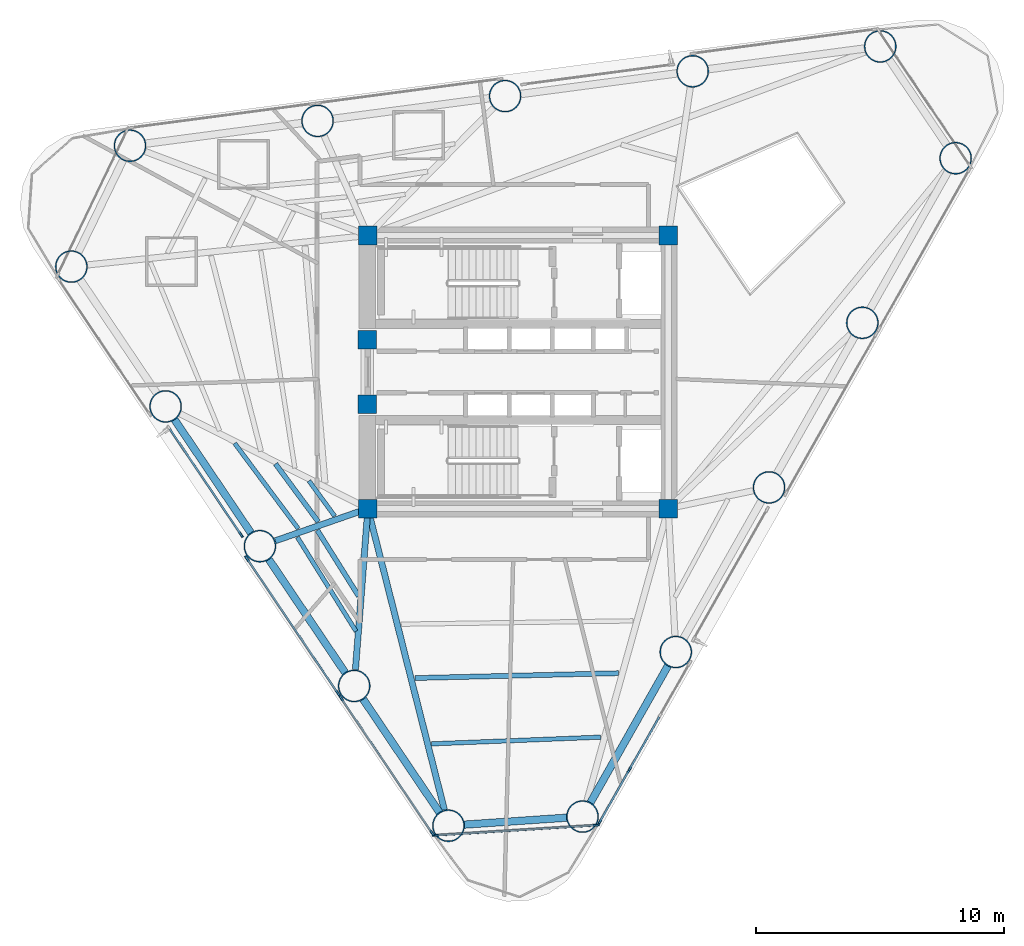
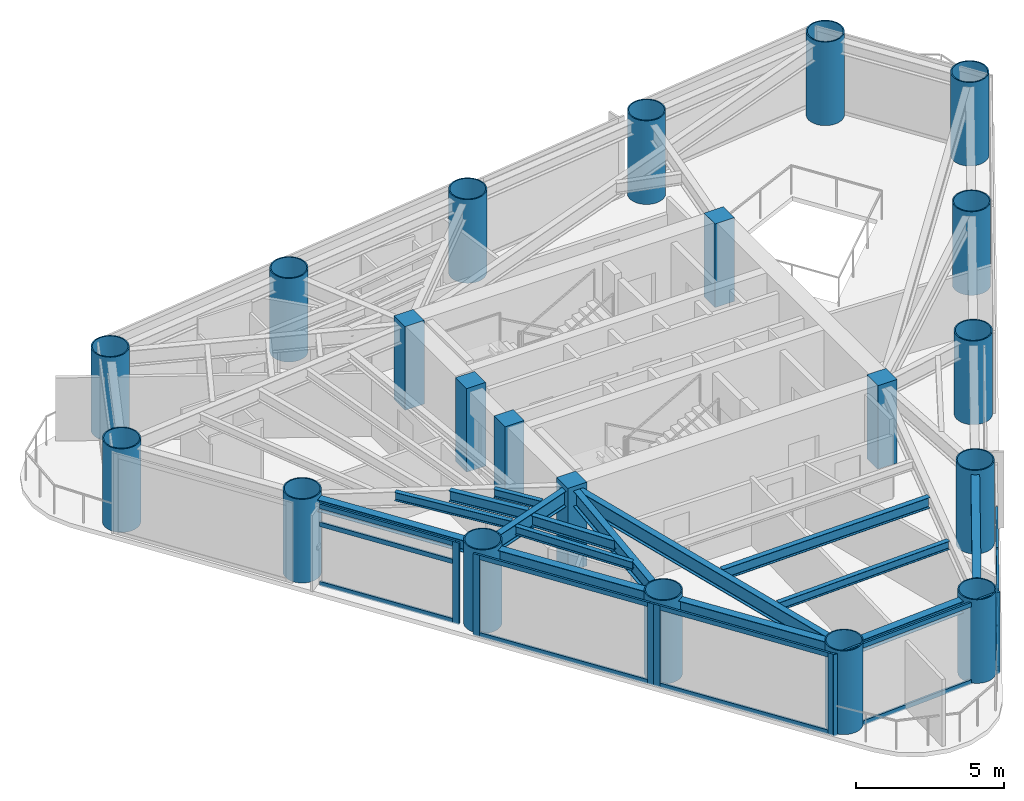
# One storey, part 1 of 9: 24 members, 21 columns, 15 beams, 5 elements without a shape of their own.
"""IFC4 building model written with IfcOpenShell, lengths in metres."""

from ifc_helpers import new_model, si_unit, direction, frame, origin, origin_2d, place, context, subcontext, project, spatial, rectangle, hollow_circle, i_section, extrude, source, transform, mapped, material, layer, layer_set, material_profile, profile_set, type_object, element, aggregate, save


model = new_model("IFC4")

# Units and contexts
model_context = context("Model", 3, precision=1e-05, world=origin(), true_north=direction((0.0, 1.0)))
body_context = subcontext(model_context, "Body", "Model", "MODEL_VIEW")
ifc_project = project(units=[si_unit("LENGTHUNIT", "METRE"), si_unit("AREAUNIT", "SQUARE_METRE"), si_unit("VOLUMEUNIT", "CUBIC_METRE"), si_unit("PLANEANGLEUNIT", "RADIAN"), si_unit("MASSUNIT", "GRAM", prefix="KILO")], contexts=[model_context])

# Site, building, storey
site_placement = place(None, origin())
site = spatial("IfcSite", under=ifc_project, at=site_placement, CompositionType="ELEMENT")
building_placement = place(site_placement, origin())
building = spatial("IfcBuilding", under=site, at=building_placement, Name="Yunling Apex Tower", CompositionType="ELEMENT")
storey_placement = place(building_placement, frame((0.0, 0.0, 176.0)))
storey = spatial("IfcBuildingStorey", under=building, at=storey_placement, Name="L43", CompositionType="ELEMENT", Elevation=176.0)

# Columns
ifc_material_1 = material(Name="Concrete C50", Category="concrete")
ifc_material_profile_1 = material_profile(ifc_material_1, rectangle(XDim=0.75, YDim=0.75, at=origin_2d()))
ifc_profile_set_1 = profile_set([ifc_material_profile_1], Name="Concrete C50")
column_type_1 = type_object("IfcColumnType", Name="PC-SRC-4", PredefinedType="COLUMN", material=ifc_profile_set_1)
shared_shape_1 = source(origin(), body_context, "Body", "SweptSolid", [
    extrude(rectangle(XDim=0.75, YDim=0.75, at=origin_2d()), origin(), (0.0, 0.0, 1.0), 3.449951171875),
])
for number, where, z_axis, x_axis, name in (
    (1, (-6.050048828125, -5.5, 0.0), (0.0, 0.0, 1.0), (1.0, 0.0, 0.0), "L43 Core Spine Column CC-SW"),
    (2, (6.050048828125, -5.5, 0.0), (0.0, 0.0, 1.0), (1.0, 0.0, 0.0), "L43 Core Spine Column CC-SE"),
    (3, (6.050048828125, 5.5, 0.0), (0.0, 0.0, 1.0), (1.0, 0.0, 0.0), "L43 Core Spine Column CC-NE"),
    (4, (-6.050048828125, 5.5, 0.0), (0.0, 0.0, 1.0), (1.0, 0.0, 0.0), "L43 Core Spine Column CC-NW"),
    (5, (-6.074951171875, -1.300048828125, 0.0), (0.0, 0.0, 1.0), (1.0, 0.0, 0.0), "L43 Core West Portal Jamb Column S"),
    (6, (-6.074951171875, 1.300048828125, 0.0), (0.0, 0.0, 1.0), (1.0, 0.0, 0.0), "L43 Core West Portal Jamb Column N"),
):
    element("IfcColumn", number, at=place(storey_placement, frame(where, z_axis=z_axis, x_axis=x_axis)), inside=storey, type_object=column_type_1, Name=name, PredefinedType="COLUMN", context=body_context, shape_type="MappedRepresentation", body=[
        mapped(shared_shape_1, transform((0.0, 0.0, 0.0), scale=1.0)),
    ])
ifc_material_2 = material(Name="Steel Q390GJC", Category="steel")
ifc_material_profile_2 = material_profile(ifc_material_2, hollow_circle(Radius=0.64990234375, WallThickness=0.044921875, at=origin_2d()))
ifc_profile_set_2 = profile_set([ifc_material_profile_2], Name="Steel Q390GJC")
column_type_2 = type_object("IfcColumnType", Name="MC-CFST-3", PredefinedType="COLUMN", material=ifc_profile_set_2)
shared_shape_2 = source(origin(), body_context, "Body", "SweptSolid", [
    extrude(hollow_circle(Radius=0.64990234375, WallThickness=0.044921875, at=origin_2d()), origin(), (0.0, 0.0, 1.0), 3.449951171875),
])
for number, where, z_axis, x_axis, name in (
    (7, (2.5947265625, -17.907958984375, 0.0), (0.0, 0.0, 1.0), (1.0, 0.0, 0.0), "L43 Perimeter CFST Mega-Column P01"),
    (8, (6.351806640625, -11.27783203125, 0.0), (0.0, 0.0, 1.0), (1.0, 0.0, 0.0), "L43 Perimeter CFST Mega-Column P02"),
    (9, (10.109130859375, -4.64794921875, 0.0), (0.0, 0.0, 1.0), (1.0, 0.0, 0.0), "L43 Perimeter CFST Mega-Column P03"),
    (10, (13.8662109375, 1.982177734375, 0.0), (0.0, 0.0, 1.0), (1.0, 0.0, 0.0), "L43 Perimeter CFST Mega-Column P04"),
    (11, (17.62353515625, 8.612060546875, 0.0), (0.0, 0.0, 1.0), (1.0, 0.0, 0.0), "L43 Perimeter CFST Mega-Column P05"),
    (12, (14.5869140625, 13.114013671875, 0.0), (0.0, 0.0, 1.0), (1.0, 0.0, 0.0), "L43 Perimeter CFST Mega-Column P06"),
    (13, (7.0322265625, 12.114013671875, 0.0), (0.0, 0.0, 1.0), (1.0, 0.0, 0.0), "L43 Perimeter CFST Mega-Column P07"),
    (14, (-0.5224609375, 11.114013671875, 0.0), (0.0, 0.0, 1.0), (1.0, 0.0, 0.0), "L43 Perimeter CFST Mega-Column P08"),
    (15, (-8.0771484375, 10.1142578125, 0.0), (0.0, 0.0, 1.0), (1.0, 0.0, 0.0), "L43 Perimeter CFST Mega-Column P09"),
    (16, (-15.6318359375, 9.1142578125, 0.0), (0.0, 0.0, 1.0), (1.0, 0.0, 0.0), "L43 Perimeter CFST Mega-Column P10"),
    (17, (-17.9951171875, 4.2451171875, 0.0), (0.0, 0.0, 1.0), (1.0, 0.0, 0.0), "L43 Perimeter CFST Mega-Column P11"),
    (18, (-14.197509765625, -1.384765625, 0.0), (0.0, 0.0, 1.0), (1.0, 0.0, 0.0), "L43 Perimeter CFST Mega-Column P12"),
    (19, (-10.39990234375, -7.014892578125, 0.0), (0.0, 0.0, 1.0), (1.0, 0.0, 0.0), "L43 Perimeter CFST Mega-Column P13"),
    (20, (-6.6025390625, -12.64501953125, 0.0), (0.0, 0.0, 1.0), (1.0, 0.0, 0.0), "L43 Perimeter CFST Mega-Column P14"),
    (21, (-2.804931640625, -18.27490234375, 0.0), (0.0, 0.0, 1.0), (1.0, 0.0, 0.0), "L43 Perimeter CFST Mega-Column P15"),
):
    element("IfcColumn", number, at=place(storey_placement, frame(where, z_axis=z_axis, x_axis=x_axis)), inside=storey, type_object=column_type_2, Name=name, PredefinedType="COLUMN", context=body_context, shape_type="MappedRepresentation", body=[
        mapped(shared_shape_2, transform((0.0, 0.0, 0.0), scale=1.0)),
    ])

# Beams
ifc_material_3 = material(Name="Steel Q355B", Category="steel")
ifc_material_profile_3 = material_profile(ifc_material_3, i_section(OverallWidth=0.300048828125, OverallDepth=0.489990234375, WebThickness=0.010986328125, FlangeThickness=0.01806640625, FilletRadius=0.02197265625, at=origin_2d()))
ifc_profile_set_3 = profile_set([ifc_material_profile_3], Name="Steel Q355B")
beam_type_1 = type_object("IfcBeamType", Name="BP-SPN-2", PredefinedType="SPANDREL", material=ifc_profile_set_3)
shared_shape_3 = source(origin(), body_context, "Body", "SweptSolid", [
    extrude(i_section(OverallWidth=0.300048828125, OverallDepth=0.489990234375, WebThickness=0.010986328125, FlangeThickness=0.01806640625, FilletRadius=0.02197265625, at=origin_2d()), origin(), (0.0, 0.0, 1.0), 6.332763671875),
])
beam_1_placement = place(storey_placement, frame((2.912109375, -17.34765625, 3.02490234375), z_axis=(0.493042725972, 0.870005097897, 0.0), x_axis=(-0.870005097897, 0.493042725972, 0.0)))
element("IfcBeam", 22, at=beam_1_placement, inside=storey, type_object=beam_type_1, Name="L43 Perimeter Spandrel Beam 1", PredefinedType="SPANDREL", context=body_context, shape_type="MappedRepresentation", body=[
    mapped(shared_shape_3, transform((0.0, 0.0, 0.0), scale=1.0)),
])
shared_shape_4 = source(origin(), body_context, "Body", "SweptSolid", [
    extrude(i_section(OverallWidth=0.300048828125, OverallDepth=0.489990234375, WebThickness=0.010986328125, FlangeThickness=0.01806640625, FilletRadius=0.02197265625, at=origin_2d()), origin(), (0.0, 0.0, 1.0), 5.5029296875),
])
beam_2_placement = place(storey_placement, frame((-10.039794921875, -7.548828125, 3.02490234375), z_axis=(0.559176417619, -0.829048692164, 0.0), x_axis=(0.829048692164, 0.559176417619, 0.0)))
element("IfcBeam", 23, at=beam_2_placement, inside=storey, type_object=beam_type_1, Name="L43 Perimeter Spandrel Beam 13", PredefinedType="SPANDREL", context=body_context, shape_type="MappedRepresentation", body=[
    mapped(shared_shape_4, transform((0.0, 0.0, 0.0), scale=1.0)),
])
shared_shape_5 = source(origin(), body_context, "Body", "SweptSolid", [
    extrude(i_section(OverallWidth=0.300048828125, OverallDepth=0.489990234375, WebThickness=0.010986328125, FlangeThickness=0.01806640625, FilletRadius=0.02197265625, at=origin_2d()), origin(), (0.0, 0.0, 1.0), 5.503173828125),
])
beam_3_placement = place(storey_placement, frame((-13.83740234375, -1.918701171875, 3.02490234375), z_axis=(0.55920690951, -0.82902812519, 0.0), x_axis=(0.82902812519, 0.55920690951, 0.0)))
element("IfcBeam", 24, at=beam_3_placement, inside=storey, type_object=beam_type_1, Name="L43 Perimeter Spandrel Beam 12", PredefinedType="SPANDREL", context=body_context, shape_type="MappedRepresentation", body=[
    mapped(shared_shape_5, transform((0.0, 0.0, 0.0), scale=1.0)),
])
shared_shape_6 = source(origin(), body_context, "Body", "SweptSolid", [
    extrude(i_section(OverallWidth=0.300048828125, OverallDepth=0.489990234375, WebThickness=0.010986328125, FlangeThickness=0.01806640625, FilletRadius=0.02197265625, at=origin_2d()), origin(), (0.0, 0.0, 1.0), 5.50341796875),
])
beam_4_placement = place(storey_placement, frame((-6.242431640625, -13.1787109375, 3.02490234375), z_axis=(0.55918634307, -0.829041997564, 0.0), x_axis=(0.829041997564, 0.55918634307, 0.0)))
element("IfcBeam", 25, at=beam_4_placement, inside=storey, type_object=beam_type_1, Name="L43 Perimeter Spandrel Beam 14", PredefinedType="SPANDREL", context=body_context, shape_type="MappedRepresentation", body=[
    mapped(shared_shape_6, transform((0.0, 0.0, 0.0), scale=1.0)),
])
shared_shape_7 = source(origin(), body_context, "Body", "SweptSolid", [
    extrude(i_section(OverallWidth=0.300048828125, OverallDepth=0.489990234375, WebThickness=0.010986328125, FlangeThickness=0.01806640625, FilletRadius=0.02197265625, at=origin_2d()), origin(), (0.0, 0.0, 1.0), 4.124267578125),
])
beam_5_placement = place(storey_placement, frame((-2.16259765625, -18.231201171875, 3.02490234375), z_axis=(0.997700280582, 0.067780160274, 0.0), x_axis=(-0.067780160274, 0.997700280582, 0.0)))
element("IfcBeam", 26, at=beam_5_placement, inside=storey, type_object=beam_type_1, Name="L43 Perimeter Spandrel Beam 15", PredefinedType="SPANDREL", context=body_context, shape_type="MappedRepresentation", body=[
    mapped(shared_shape_7, transform((0.0, 0.0, 0.0), scale=1.0)),
])
ifc_material_profile_4 = material_profile(ifc_material_3, i_section(OverallWidth=0.25, OverallDepth=0.64990234375, WebThickness=0.011962890625, FlangeThickness=0.02001953125, FilletRadius=0.02392578125, at=origin_2d()))
ifc_profile_set_4 = profile_set([ifc_material_profile_4], Name="Steel Q355B")
beam_type_2 = type_object("IfcBeamType", Name="BG-PRI-4", PredefinedType="USERDEFINED", material=ifc_profile_set_4)
shared_shape_8 = source(origin(), body_context, "Body", "SweptSolid", [
    extrude(i_section(OverallWidth=0.25, OverallDepth=0.64990234375, WebThickness=0.011962890625, FlangeThickness=0.02001953125, FilletRadius=0.02392578125, at=origin_2d()), origin(), (0.0, 0.0, 1.0), 3.8681640625),
])
beam_6_placement = place(storey_placement, frame((-9.778564453125, -6.798583984375, 2.945068359375), z_axis=(0.944369860351, 0.328885339991, 0.0), x_axis=(-0.328885339991, 0.944369860351, 0.0)))
element("IfcBeam", 27, at=beam_6_placement, inside=storey, type_object=beam_type_2, Name="L43 Radial Primary Girder R13", ObjectType="GIRDER", PredefinedType="USERDEFINED", context=body_context, shape_type="MappedRepresentation", body=[
    mapped(shared_shape_8, transform((0.0, 0.0, 0.0), scale=1.0)),
])
shared_shape_9 = source(origin(), body_context, "Body", "SweptSolid", [
    extrude(i_section(OverallWidth=0.25, OverallDepth=0.64990234375, WebThickness=0.011962890625, FlangeThickness=0.02001953125, FilletRadius=0.02392578125, at=origin_2d()), origin(), (0.0, 0.0, 1.0), 6.42822265625),
])
beam_7_placement = place(storey_placement, frame((-6.5517578125, -11.989013671875, 2.945068359375), z_axis=(0.077097282386, 0.997023574971, 0.0), x_axis=(-0.997023574971, 0.077097282386, 0.0)))
element("IfcBeam", 28, at=beam_7_placement, inside=storey, type_object=beam_type_2, Name="L43 Radial Primary Girder R14", ObjectType="GIRDER", PredefinedType="USERDEFINED", context=body_context, shape_type="MappedRepresentation", body=[
    mapped(shared_shape_9, transform((0.0, 0.0, 0.0), scale=1.0)),
])
shared_shape_10 = source(origin(), body_context, "Body", "SweptSolid", [
    extrude(i_section(OverallWidth=0.25, OverallDepth=0.64990234375, WebThickness=0.011962890625, FlangeThickness=0.02001953125, FilletRadius=0.02392578125, at=origin_2d()), origin(), (0.0, 0.0, 1.0), 12.44287109375),
])
beam_8_placement = place(storey_placement, frame((-2.967041015625, -17.63720703125, 2.945068359375), z_axis=(-0.246185736667, 0.969222669494, 0.0), x_axis=(-0.969222669494, -0.246185736667, 0.0)))
element("IfcBeam", 29, at=beam_8_placement, inside=storey, type_object=beam_type_2, Name="L43 Radial Primary Girder R15", ObjectType="GIRDER", PredefinedType="USERDEFINED", context=body_context, shape_type="MappedRepresentation", body=[
    mapped(shared_shape_10, transform((0.0, 0.0, 0.0), scale=1.0)),
])
ifc_material_profile_5 = material_profile(ifc_material_3, i_section(OverallWidth=0.199951171875, OverallDepth=0.449951171875, WebThickness=0.009033203125, FlangeThickness=0.013916015625, FilletRadius=0.01806640625, at=origin_2d()))
ifc_profile_set_5 = profile_set([ifc_material_profile_5], Name="Steel Q355B")
beam_type_3 = type_object("IfcBeamType", Name="BS-SEC-3", PredefinedType="BEAM", material=ifc_profile_set_5)
shared_shape_11 = source(origin(), body_context, "Body", "SweptSolid", [
    extrude(i_section(OverallWidth=0.199951171875, OverallDepth=0.449951171875, WebThickness=0.009033203125, FlangeThickness=0.013916015625, FilletRadius=0.01806640625, at=origin_2d()), origin(), (0.0, 0.0, 1.0), 2.900146484375),
])
beam_9_placement = place(storey_placement, frame((-9.770751953125, -3.701416015625, 3.044921875), z_axis=(0.594341352087, -0.804212880523, 0.0), x_axis=(0.804212880523, 0.594341352087, 0.0)))
element("IfcBeam", 30, at=beam_9_placement, inside=storey, type_object=beam_type_3, Name="L43 Composite Floor Beam BS-12", PredefinedType="BEAM", context=body_context, shape_type="MappedRepresentation", body=[
    mapped(shared_shape_11, transform((0.0, 0.0, 0.0), scale=1.0)),
])
ifc_material_profile_6 = material_profile(ifc_material_3, i_section(OverallWidth=0.175048828125, OverallDepth=0.35009765625, WebThickness=0.007080078125, FlangeThickness=0.010986328125, FilletRadius=0.013916015625, at=origin_2d()))
ifc_profile_set_6 = profile_set([ifc_material_profile_6], Name="Steel Q355B")
beam_type_4 = type_object("IfcBeamType", Name="BJ-JST-1", PredefinedType="JOIST", material=ifc_profile_set_6)
shared_shape_12 = source(origin(), body_context, "Body", "SweptSolid", [
    extrude(i_section(OverallWidth=0.175048828125, OverallDepth=0.35009765625, WebThickness=0.007080078125, FlangeThickness=0.010986328125, FilletRadius=0.013916015625, at=origin_2d()), origin(), (0.0, 0.0, 1.0), 4.2958984375),
])
beam_10_placement = place(storey_placement, frame((-11.417724609375, -2.868896484375, 3.094970703125), z_axis=(0.597405367493, -0.801939415972, 0.0), x_axis=(0.801939415972, 0.597405367493, 0.0)))
element("IfcBeam", 31, at=beam_10_placement, inside=storey, type_object=beam_type_4, Name="L43 Composite Floor Joist BJ1-12", PredefinedType="JOIST", context=body_context, shape_type="MappedRepresentation", body=[
    mapped(shared_shape_12, transform((0.0, 0.0, 0.0), scale=1.0)),
])
shared_shape_13 = source(origin(), body_context, "Body", "SweptSolid", [
    extrude(i_section(OverallWidth=0.175048828125, OverallDepth=0.35009765625, WebThickness=0.007080078125, FlangeThickness=0.010986328125, FilletRadius=0.013916015625, at=origin_2d()), origin(), (0.0, 0.0, 1.0), 1.75830078125),
])
beam_11_placement = place(storey_placement, frame((-8.423583984375, -4.3828125, 3.094970703125), z_axis=(0.58860919459, -0.808417723732, 0.0), x_axis=(0.808417723732, 0.58860919459, 0.0)))
element("IfcBeam", 32, at=beam_11_placement, inside=storey, type_object=beam_type_4, Name="L43 Composite Floor Joist BJ3-12", PredefinedType="JOIST", context=body_context, shape_type="MappedRepresentation", body=[
    mapped(shared_shape_13, transform((0.0, 0.0, 0.0), scale=1.0)),
])
shared_shape_14 = source(origin(), body_context, "Body", "SweptSolid", [
    extrude(i_section(OverallWidth=0.199951171875, OverallDepth=0.449951171875, WebThickness=0.009033203125, FlangeThickness=0.013916015625, FilletRadius=0.01806640625, at=origin_2d()), origin(), (0.0, 0.0, 1.0), 3.138427734375),
])
beam_12_placement = place(storey_placement, frame((-8.086181640625, -6.374267578125, 3.044921875), z_axis=(0.531291876234, -0.847188846862, 0.0), x_axis=(0.847188846862, 0.531291876234, 0.0)))
element("IfcBeam", 33, at=beam_12_placement, inside=storey, type_object=beam_type_3, Name="L43 Composite Floor Beam BS-13", PredefinedType="BEAM", context=body_context, shape_type="MappedRepresentation", body=[
    mapped(shared_shape_14, transform((0.0, 0.0, 0.0), scale=1.0)),
])
shared_shape_15 = source(origin(), body_context, "Body", "SweptSolid", [
    extrude(i_section(OverallWidth=0.175048828125, OverallDepth=0.35009765625, WebThickness=0.007080078125, FlangeThickness=0.010986328125, FilletRadius=0.013916015625, at=origin_2d()), origin(), (0.0, 0.0, 1.0), 4.46533203125),
])
beam_13_placement = place(storey_placement, frame((-8.890380859375, -6.654296875, 3.094970703125), z_axis=(0.529197625192, -0.848498599581, 0.0), x_axis=(0.848498599581, 0.529197625192, 0.0)))
element("IfcBeam", 34, at=beam_13_placement, inside=storey, type_object=beam_type_4, Name="L43 Composite Floor Joist BJ1-13", PredefinedType="JOIST", context=body_context, shape_type="MappedRepresentation", body=[
    mapped(shared_shape_15, transform((0.0, 0.0, 0.0), scale=1.0)),
])
shared_shape_16 = source(origin(), body_context, "Body", "SweptSolid", [
    extrude(i_section(OverallWidth=0.199951171875, OverallDepth=0.449951171875, WebThickness=0.009033203125, FlangeThickness=0.013916015625, FilletRadius=0.01806640625, at=origin_2d()), origin(), (0.0, 0.0, 1.0), 8.20166015625),
])
beam_14_placement = place(storey_placement, frame((-4.15478515625, -12.3271484375, 3.044921875), z_axis=(0.999714273785, 0.023903363562, 0.0), x_axis=(-0.023903363562, 0.999714273785, 0.0)))
element("IfcBeam", 35, at=beam_14_placement, inside=storey, type_object=beam_type_3, Name="L43 Composite Floor Beam BS-15", PredefinedType="BEAM", context=body_context, shape_type="MappedRepresentation", body=[
    mapped(shared_shape_16, transform((0.0, 0.0, 0.0), scale=1.0)),
])
shared_shape_17 = source(origin(), body_context, "Body", "SweptSolid", [
    extrude(i_section(OverallWidth=0.175048828125, OverallDepth=0.35009765625, WebThickness=0.007080078125, FlangeThickness=0.010986328125, FilletRadius=0.013916015625, at=origin_2d()), origin(), (0.0, 0.0, 1.0), 6.814453125),
])
beam_15_placement = place(storey_placement, frame((-3.481201171875, -14.977783203125, 3.094970703125), z_axis=(0.999210374008, 0.039731957862, 0.0), x_axis=(-0.039731957862, 0.999210374008, 0.0)))
element("IfcBeam", 36, at=beam_15_placement, inside=storey, type_object=beam_type_4, Name="L43 Composite Floor Joist BJ1-15", PredefinedType="JOIST", context=body_context, shape_type="MappedRepresentation", body=[
    mapped(shared_shape_17, transform((0.0, 0.0, 0.0), scale=1.0)),
])

# Curtain wall, members
ifc_material_4 = material(Name="Bronze anodised aluminium", Category="aluminium")
ifc_layer = layer(ifc_material_4, 0.239990234375)
ifc_layer_set = layer_set([ifc_layer], Name="Bronze anodised aluminium")
curtain_wall_type = type_object("IfcCurtainWallType", Name="CW-SYS-3", PredefinedType="NOTDEFINED", material=ifc_layer_set)
curtain_wall_1_placement = place(storey_placement, origin())
curtain_wall_1 = element("IfcCurtainWall", 37, at=curtain_wall_1_placement, inside=storey, type_object=curtain_wall_type, Name="CW-L43-F1-B1", PredefinedType="NOTDEFINED")
ifc_material_profile_7 = material_profile(ifc_material_4, rectangle(XDim=0.080078125, YDim=0.239990234375, at=origin_2d()))
ifc_profile_set_7 = profile_set([ifc_material_profile_7], Name="Bronze anodised aluminium")
member_type_1 = type_object("IfcMemberType", Name="CW-MUL-3", PredefinedType="MULLION", material=ifc_profile_set_7)
shared_shape_18 = source(origin(), body_context, "Body", "SweptSolid", [
    extrude(rectangle(XDim=0.080078125, YDim=0.239990234375, at=origin_2d()), origin(), (0.0, 0.0, 1.0), 3.3701171875),
])
member_1_placement = place(storey_placement, frame((3.271484375, -18.153564453125, -0.050048828125), z_axis=(0.0, 0.0, 1.0), x_axis=(-0.870006087438, 0.493040979859, 0.0)))
member_1 = element("IfcMember", 38, at=member_1_placement, type_object=member_type_1, Name="CW-SYS-3 mullion 1", PredefinedType="MULLION", context=body_context, shape_type="MappedRepresentation", body=[
    mapped(shared_shape_18, transform((0.0, 0.0, 0.0), scale=1.0)),
])
member_2_placement = place(storey_placement, frame((4.47802734375, -16.02490234375, -0.050048828125), z_axis=(0.0, 0.0, 1.0), x_axis=(-0.870006087438, 0.493040979859, 0.0)))
member_2 = element("IfcMember", 39, at=member_2_placement, type_object=member_type_1, Name="CW-SYS-3 mullion 2", PredefinedType="MULLION", context=body_context, shape_type="MappedRepresentation", body=[
    mapped(shared_shape_18, transform((0.0, 0.0, 0.0), scale=1.0)),
])

# Curtain wall, member
curtain_wall_2_placement = place(storey_placement, origin())
curtain_wall_2 = element("IfcCurtainWall", 40, at=curtain_wall_2_placement, inside=storey, type_object=curtain_wall_type, Name="CW-L43-F3-B2", PredefinedType="NOTDEFINED")
member_3_placement = place(storey_placement, frame((-11.15966796875, -6.55029296875, -0.050048828125), z_axis=(0.0, 0.0, 1.0), x_axis=(0.829026137089, 0.559209856873, 0.0)))
member_3 = element("IfcMember", 41, at=member_3_placement, type_object=member_type_1, Name="CW-SYS-3 mullion 2", PredefinedType="MULLION", context=body_context, shape_type="MappedRepresentation", body=[
    mapped(shared_shape_18, transform((0.0, 0.0, 0.0), scale=1.0)),
])

# Curtain wall, members
curtain_wall_3_placement = place(storey_placement, origin())
curtain_wall_3 = element("IfcCurtainWall", 42, at=curtain_wall_3_placement, inside=storey, type_object=curtain_wall_type, Name="CW-L43-F3-B3", PredefinedType="NOTDEFINED")
member_4_placement = place(storey_placement, frame((-10.921630859375, -7.511474609375, -0.050048828125), z_axis=(0.0, 0.0, 1.0), x_axis=(0.829040587205, 0.559188434042, 0.0)))
member_4 = element("IfcMember", 43, at=member_4_placement, type_object=member_type_1, Name="CW-SYS-3 mullion 1", PredefinedType="MULLION", context=body_context, shape_type="MappedRepresentation", body=[
    mapped(shared_shape_18, transform((0.0, 0.0, 0.0), scale=1.0)),
])
member_5_placement = place(storey_placement, frame((-7.25830078125, -12.9423828125, -0.050048828125), z_axis=(0.0, 0.0, 1.0), x_axis=(0.829040587205, 0.559188434042, 0.0)))
member_5 = element("IfcMember", 44, at=member_5_placement, type_object=member_type_1, Name="CW-SYS-3 mullion 2", PredefinedType="MULLION", context=body_context, shape_type="MappedRepresentation", body=[
    mapped(shared_shape_18, transform((0.0, 0.0, 0.0), scale=1.0)),
])

curtain_wall_4_placement = place(storey_placement, origin())
curtain_wall_4 = element("IfcCurtainWall", 45, at=curtain_wall_4_placement, inside=storey, type_object=curtain_wall_type, Name="CW-L43-F3-B4", PredefinedType="NOTDEFINED")
member_6_placement = place(storey_placement, frame((-7.1240234375, -13.141357421875, -0.050048828125), z_axis=(0.0, 0.0, 1.0), x_axis=(0.829045302692, 0.559181442901, 0.0)))
member_6 = element("IfcMember", 46, at=member_6_placement, type_object=member_type_1, Name="CW-SYS-3 mullion 1", PredefinedType="MULLION", context=body_context, shape_type="MappedRepresentation", body=[
    mapped(shared_shape_18, transform((0.0, 0.0, 0.0), scale=1.0)),
])
member_7_placement = place(storey_placement, frame((-3.460693359375, -18.572509765625, -0.050048828125), z_axis=(0.0, 0.0, 1.0), x_axis=(0.829045302692, 0.559181442901, 0.0)))
member_7 = element("IfcMember", 47, at=member_7_placement, type_object=member_type_1, Name="CW-SYS-3 mullion 2", PredefinedType="MULLION", context=body_context, shape_type="MappedRepresentation", body=[
    mapped(shared_shape_18, transform((0.0, 0.0, 0.0), scale=1.0)),
])

curtain_wall_5_placement = place(storey_placement, origin())
curtain_wall_5 = element("IfcCurtainWall", 48, at=curtain_wall_5_placement, inside=storey, type_object=curtain_wall_type, Name="CW-L43-CRN3", PredefinedType="NOTDEFINED")
member_8_placement = place(storey_placement, frame((-3.337158203125, -18.658203125, -0.050048828125), z_axis=(0.0, 0.0, 1.0), x_axis=(-0.062672311308, 0.998034158431, 0.0)))
member_8 = element("IfcMember", 49, at=member_8_placement, type_object=member_type_1, Name="CW-SYS-3 mullion 1", PredefinedType="MULLION", context=body_context, shape_type="MappedRepresentation", body=[
    mapped(shared_shape_18, transform((0.0, 0.0, 0.0), scale=1.0)),
])
member_9_placement = place(storey_placement, frame((3.155029296875, -18.25048828125, -0.050048828125), z_axis=(0.0, 0.0, 1.0), x_axis=(-0.062672311308, 0.998034158431, 0.0)))
member_9 = element("IfcMember", 50, at=member_9_placement, type_object=member_type_1, Name="CW-SYS-3 mullion 2", PredefinedType="MULLION", context=body_context, shape_type="MappedRepresentation", body=[
    mapped(shared_shape_18, transform((0.0, 0.0, 0.0), scale=1.0)),
])

# Member
ifc_material_profile_8 = material_profile(ifc_material_4, rectangle(XDim=0.080078125, YDim=0.18505859375, at=origin_2d()))
ifc_profile_set_8 = profile_set([ifc_material_profile_8], Name="Bronze anodised aluminium")
member_type_2 = type_object("IfcMemberType", Name="CW-TRN-3", PredefinedType="USERDEFINED", material=ifc_profile_set_8)
shared_shape_19 = source(origin(), body_context, "Body", "SweptSolid", [
    extrude(rectangle(XDim=0.080078125, YDim=0.18505859375, at=origin_2d()), origin(), (0.0, 0.0, 1.0), 2.374755859375),
])
member_10_placement = place(storey_placement, frame((3.289306640625, -18.122314453125, 0.0400390625), z_axis=(0.493035916127, 0.870008957085, 0.0), x_axis=(-0.870008957085, 0.493035916127, 0.0)))
member_10 = element("IfcMember", 51, at=member_10_placement, type_object=member_type_2, Name="CW-SYS-3 transom 1.1", ObjectType="TRANSOM", PredefinedType="USERDEFINED", context=body_context, shape_type="MappedRepresentation", body=[
    mapped(shared_shape_19, transform((0.0, 0.0, 0.0), scale=1.0)),
])

member_11_placement = place(storey_placement, frame((3.289306640625, -18.122314453125, 2.485107421875), z_axis=(0.493035916127, 0.870008957085, 0.0), x_axis=(-0.870008957085, 0.493035916127, 0.0)))
member_11 = element("IfcMember", 52, at=member_11_placement, type_object=member_type_2, Name="CW-SYS-3 transom 1.2", ObjectType="TRANSOM", PredefinedType="USERDEFINED", context=body_context, shape_type="MappedRepresentation", body=[
    mapped(shared_shape_19, transform((0.0, 0.0, 0.0), scale=1.0)),
])

member_12_placement = place(storey_placement, frame((3.289306640625, -18.122314453125, 3.22998046875), z_axis=(0.493035916127, 0.870008957085, 0.0), x_axis=(-0.870008957085, 0.493035916127, 0.0)))
member_12 = element("IfcMember", 53, at=member_12_placement, type_object=member_type_2, Name="CW-SYS-3 transom 1.3", ObjectType="TRANSOM", PredefinedType="USERDEFINED", context=body_context, shape_type="MappedRepresentation", body=[
    mapped(shared_shape_19, transform((0.0, 0.0, 0.0), scale=1.0)),
])

shared_shape_20 = source(origin(), body_context, "Body", "SweptSolid", [
    extrude(rectangle(XDim=0.080078125, YDim=0.18505859375, at=origin_2d()), origin(), (0.0, 0.0, 1.0), 2.414794921875),
])
member_13_placement = place(storey_placement, frame((4.49560546875, -15.993408203125, 0.0400390625), z_axis=(0.49307634424, 0.869986045147, 0.0), x_axis=(-0.869986045147, 0.49307634424, 0.0)))
member_13 = element("IfcMember", 54, at=member_13_placement, type_object=member_type_2, Name="CW-SYS-3 transom 2.1", ObjectType="TRANSOM", PredefinedType="USERDEFINED", context=body_context, shape_type="MappedRepresentation", body=[
    mapped(shared_shape_20, transform((0.0, 0.0, 0.0), scale=1.0)),
])

member_14_placement = place(storey_placement, frame((4.49560546875, -15.993408203125, 2.485107421875), z_axis=(0.49307634424, 0.869986045147, 0.0), x_axis=(-0.869986045147, 0.49307634424, 0.0)))
member_14 = element("IfcMember", 55, at=member_14_placement, type_object=member_type_2, Name="CW-SYS-3 transom 2.2", ObjectType="TRANSOM", PredefinedType="USERDEFINED", context=body_context, shape_type="MappedRepresentation", body=[
    mapped(shared_shape_20, transform((0.0, 0.0, 0.0), scale=1.0)),
])

member_15_placement = place(storey_placement, frame((4.49560546875, -15.993408203125, 3.22998046875), z_axis=(0.49307634424, 0.869986045147, 0.0), x_axis=(-0.869986045147, 0.49307634424, 0.0)))
member_15 = element("IfcMember", 56, at=member_15_placement, type_object=member_type_2, Name="CW-SYS-3 transom 2.3", ObjectType="TRANSOM", PredefinedType="USERDEFINED", context=body_context, shape_type="MappedRepresentation", body=[
    mapped(shared_shape_20, transform((0.0, 0.0, 0.0), scale=1.0)),
])

aggregate(curtain_wall_1, [member_1, member_2, member_10, member_11, member_12, member_13, member_14, member_15])

shared_shape_21 = source(origin(), body_context, "Body", "SweptSolid", [
    extrude(rectangle(XDim=0.080078125, YDim=0.18505859375, at=origin_2d()), origin(), (0.0, 0.0, 1.0), 6.43310546875),
])
member_16_placement = place(storey_placement, frame((-3.30126953125, -18.656005859375, 0.0400390625), z_axis=(0.998035114575, 0.062657083206, 0.0), x_axis=(-0.062657083206, 0.998035114575, 0.0)))
member_16 = element("IfcMember", 57, at=member_16_placement, type_object=member_type_2, Name="CW-SYS-3 transom 1.1", ObjectType="TRANSOM", PredefinedType="USERDEFINED", context=body_context, shape_type="MappedRepresentation", body=[
    mapped(shared_shape_21, transform((0.0, 0.0, 0.0), scale=1.0)),
])

member_17_placement = place(storey_placement, frame((-3.30126953125, -18.656005859375, 3.22998046875), z_axis=(0.998035114575, 0.062657083206, 0.0), x_axis=(-0.062657083206, 0.998035114575, 0.0)))
member_17 = element("IfcMember", 58, at=member_17_placement, type_object=member_type_2, Name="CW-SYS-3 transom 1.2", ObjectType="TRANSOM", PredefinedType="USERDEFINED", context=body_context, shape_type="MappedRepresentation", body=[
    mapped(shared_shape_21, transform((0.0, 0.0, 0.0), scale=1.0)),
])

aggregate(curtain_wall_5, [member_8, member_9, member_16, member_17])

shared_shape_22 = source(origin(), body_context, "Body", "SweptSolid", [
    extrude(rectangle(XDim=0.080078125, YDim=0.18505859375, at=origin_2d()), origin(), (0.0, 0.0, 1.0), 6.479248046875),
])
member_18_placement = place(storey_placement, frame((-7.10400390625, -13.171142578125, 0.0400390625), z_axis=(0.559179012054, -0.829046942265, 0.0), x_axis=(0.829046942265, 0.559179012054, 0.0)))
member_18 = element("IfcMember", 59, at=member_18_placement, type_object=member_type_2, Name="CW-SYS-3 transom 1.1", ObjectType="TRANSOM", PredefinedType="USERDEFINED", context=body_context, shape_type="MappedRepresentation", body=[
    mapped(shared_shape_22, transform((0.0, 0.0, 0.0), scale=1.0)),
])

member_19_placement = place(storey_placement, frame((-7.10400390625, -13.171142578125, 3.22998046875), z_axis=(0.559179012054, -0.829046942265, 0.0), x_axis=(0.829046942265, 0.559179012054, 0.0)))
member_19 = element("IfcMember", 60, at=member_19_placement, type_object=member_type_2, Name="CW-SYS-3 transom 1.2", ObjectType="TRANSOM", PredefinedType="USERDEFINED", context=body_context, shape_type="MappedRepresentation", body=[
    mapped(shared_shape_22, transform((0.0, 0.0, 0.0), scale=1.0)),
])

aggregate(curtain_wall_4, [member_6, member_7, member_18, member_19])

shared_shape_23 = source(origin(), body_context, "Body", "SweptSolid", [
    extrude(rectangle(XDim=0.080078125, YDim=0.18505859375, at=origin_2d()), origin(), (0.0, 0.0, 1.0), 5.09912109375),
])
member_20_placement = place(storey_placement, frame((-14.03125, -2.293212890625, 0.0400390625), z_axis=(0.559222026941, -0.829017927782, 0.0), x_axis=(0.829017927782, 0.559222026941, 0.0)))
member_20 = element("IfcMember", 61, at=member_20_placement, type_object=member_type_2, Name="CW-SYS-3 transom 1.1", ObjectType="TRANSOM", PredefinedType="USERDEFINED", context=body_context, shape_type="MappedRepresentation", body=[
    mapped(shared_shape_23, transform((0.0, 0.0, 0.0), scale=1.0)),
])

member_21_placement = place(storey_placement, frame((-14.03125, -2.293212890625, 2.485107421875), z_axis=(0.559222026941, -0.829017927782, 0.0), x_axis=(0.829017927782, 0.559222026941, 0.0)))
member_21 = element("IfcMember", 62, at=member_21_placement, type_object=member_type_2, Name="CW-SYS-3 transom 1.2", ObjectType="TRANSOM", PredefinedType="USERDEFINED", context=body_context, shape_type="MappedRepresentation", body=[
    mapped(shared_shape_23, transform((0.0, 0.0, 0.0), scale=1.0)),
])

member_22_placement = place(storey_placement, frame((-14.03125, -2.293212890625, 3.22998046875), z_axis=(0.559222026941, -0.829017927782, 0.0), x_axis=(0.829017927782, 0.559222026941, 0.0)))
member_22 = element("IfcMember", 63, at=member_22_placement, type_object=member_type_2, Name="CW-SYS-3 transom 1.3", ObjectType="TRANSOM", PredefinedType="USERDEFINED", context=body_context, shape_type="MappedRepresentation", body=[
    mapped(shared_shape_23, transform((0.0, 0.0, 0.0), scale=1.0)),
])

aggregate(curtain_wall_2, [member_3, member_20, member_21, member_22])

shared_shape_24 = source(origin(), body_context, "Body", "SweptSolid", [
    extrude(rectangle(XDim=0.080078125, YDim=0.18505859375, at=origin_2d()), origin(), (0.0, 0.0, 1.0), 6.47900390625),
])
member_23_placement = place(storey_placement, frame((-10.9013671875, -7.541259765625, 0.0400390625), z_axis=(0.559196480627, -0.829035159722, 0.0), x_axis=(0.829035159722, 0.559196480627, 0.0)))
member_23 = element("IfcMember", 64, at=member_23_placement, type_object=member_type_2, Name="CW-SYS-3 transom 1.1", ObjectType="TRANSOM", PredefinedType="USERDEFINED", context=body_context, shape_type="MappedRepresentation", body=[
    mapped(shared_shape_24, transform((0.0, 0.0, 0.0), scale=1.0)),
])

member_24_placement = place(storey_placement, frame((-10.9013671875, -7.541259765625, 3.22998046875), z_axis=(0.559196480627, -0.829035159722, 0.0), x_axis=(0.829035159722, 0.559196480627, 0.0)))
member_24 = element("IfcMember", 65, at=member_24_placement, type_object=member_type_2, Name="CW-SYS-3 transom 1.2", ObjectType="TRANSOM", PredefinedType="USERDEFINED", context=body_context, shape_type="MappedRepresentation", body=[
    mapped(shared_shape_24, transform((0.0, 0.0, 0.0), scale=1.0)),
])

aggregate(curtain_wall_3, [member_4, member_5, member_23, member_24])

save(model, "model.ifc")
